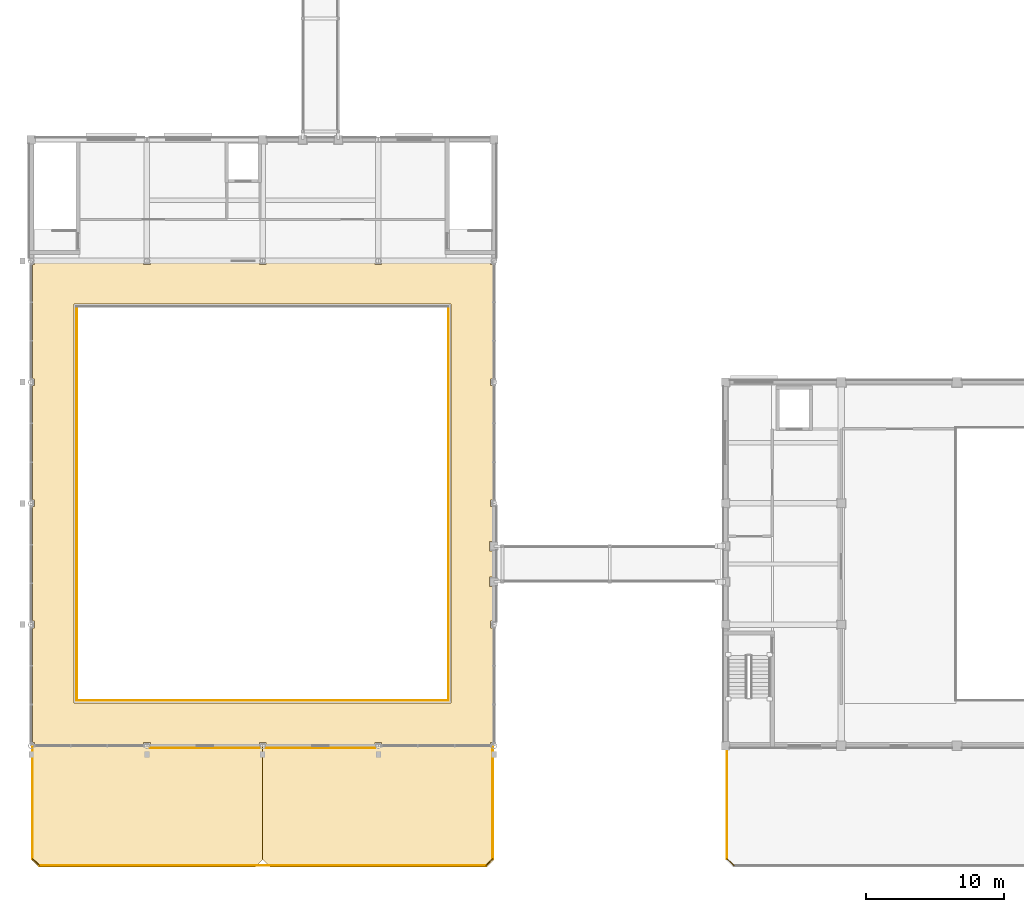
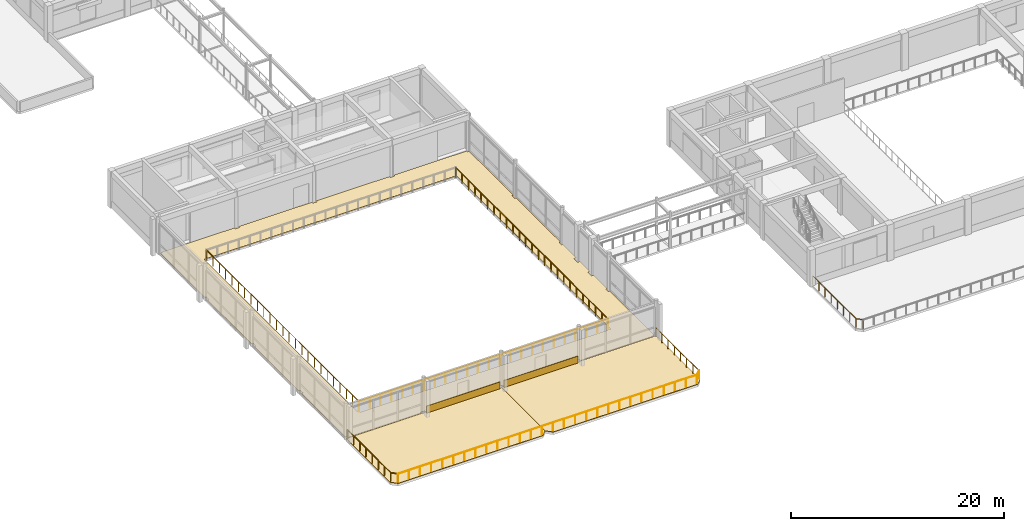
# One storey, part 44 of 57: 10 railings, 5 coverings.
"""IFC4 building model written with IfcOpenShell, lengths in metres."""

from ifc_helpers import new_model, si_unit, direction, frame, origin, origin_2d, place, context, subcontext, project, spatial, polyline, circle, outline, extrude, material, layer, layer_set, type_object, element, save


model = new_model("IFC4")

# Units and contexts
model_context = context("Model", 3, precision=1e-05, world=origin(), true_north=direction((0.0, 1.0)))
body_context = subcontext(model_context, "Body", "Model", "MODEL_VIEW")
ifc_project = project(units=[si_unit("LENGTHUNIT", "METRE"), si_unit("AREAUNIT", "SQUARE_METRE"), si_unit("VOLUMEUNIT", "CUBIC_METRE"), si_unit("PLANEANGLEUNIT", "RADIAN"), si_unit("MASSUNIT", "GRAM", prefix="KILO")], contexts=[model_context])

# Site, building, storey
site_placement = place(None, origin())
site = spatial("IfcSite", under=ifc_project, at=site_placement, CompositionType="ELEMENT")
building_placement = place(site_placement, origin())
building = spatial("IfcBuilding", under=site, at=building_placement, Name="Kemercrest Conservatory and Botanical Centre", CompositionType="ELEMENT")
storey_placement = place(building_placement, frame((0.0, 0.0, 4.800048828125)))
storey = spatial("IfcBuildingStorey", under=building, at=storey_placement, Name="L01", CompositionType="ELEMENT", Elevation=4.800048828125)

# Coverings
ifc_material_1 = material(Name="Honed limestone almasik ashlar rainscreen", Category="masonry")
ifc_layer_1 = layer(ifc_material_1, 0.0400390625)
ifc_layer_set_1 = layer_set([ifc_layer_1], Name="Honed limestone almasik ashlar rainscreen")
covering_type_1 = type_object("IfcCoveringType", Name="CV-CLD040", PredefinedType="CLADDING", material=ifc_layer_set_1)
covering_1_placement = place(storey_placement, origin())
element("IfcCovering", 1, at=covering_1_placement, inside=storey, type_object=covering_type_1, Name="Exterior stone spandrel cladding (WAL:L01:EXT-012)", PredefinedType="CLADDING", context=body_context, shape_type="SweptSolid", body=[
    extrude(outline(polyline([(16.61328125, 16.64990234375), (16.61328125, 16.610107421875), (24.5869140625, 16.610107421875), (24.5869140625, 16.64990234375), (16.61328125, 16.64990234375)])), origin(), (0.0, 0.0, 1.0), 0.849853515625),
])
covering_2_placement = place(storey_placement, origin())
element("IfcCovering", 2, at=covering_2_placement, inside=storey, type_object=covering_type_1, Name="Exterior stone spandrel cladding (WAL:L01:EXT-013)", PredefinedType="CLADDING", context=body_context, shape_type="SweptSolid", body=[
    extrude(outline(polyline([(25.01318359375, 16.64990234375), (25.01318359375, 16.610107421875), (32.98681640625, 16.610107421875), (32.98681640625, 16.64990234375), (25.01318359375, 16.64990234375)])), origin(), (0.0, 0.0, 1.0), 0.849853515625),
])
ifc_material_2 = material(Name="Polished limestone terrazzo and seamless laboratory epoxy flooring", Category="masonry")
ifc_layer_2 = layer(ifc_material_2, 0.02001953125)
ifc_layer_set_2 = layer_set([ifc_layer_2], Name="Polished limestone terrazzo and seamless laboratory epoxy flooring")
covering_type_2 = type_object("IfcCoveringType", Name="CV-FLR020", PredefinedType="FLOORING", material=ifc_layer_set_2)
covering_3_placement = place(storey_placement, origin())
element("IfcCovering", 3, at=covering_3_placement, inside=storey, type_object=covering_type_2, Name="Conservatory Canopy Walk terrazzo floor finish", PredefinedType="FLOORING", context=body_context, shape_type="SweptSolid", body=[
    extrude(outline(polyline([(8.2431640625, 25.84326171875), (8.2431640625, 25.356689453125), (8.080078125, 25.356689453125), (8.080078125, 17.043212890625), (8.2431640625, 17.043212890625), (8.2431640625, 16.8798828125), (16.15673828125, 16.8798828125), (16.15673828125, 17.043212890625), (16.643310546875, 17.043212890625), (16.643310546875, 16.8798828125), (24.556884765625, 16.8798828125), (24.556884765625, 17.043212890625), (25.043212890625, 17.043212890625), (25.043212890625, 16.8798828125), (32.956787109375, 16.8798828125), (32.956787109375, 17.043212890625), (33.443115234375, 17.043212890625), (33.443115234375, 16.8798828125), (41.356689453125, 16.8798828125), (41.356689453125, 17.043212890625), (41.52001953125, 17.043212890625), (41.52001953125, 25.356689453125), (41.356689453125, 25.356689453125), (41.356689453125, 25.84326171875), (41.52001953125, 25.84326171875), (41.52001953125, 28.360107421875), (41.260009765625, 28.360107421875), (41.260009765625, 29.0400390625), (41.52001953125, 29.0400390625), (41.52001953125, 30.9599609375), (41.260009765625, 30.9599609375), (41.260009765625, 31.639892578125), (41.52001953125, 31.639892578125), (41.52001953125, 34.15673828125), (41.356689453125, 34.15673828125), (41.356689453125, 34.643310546875), (41.52001953125, 34.643310546875), (41.52001953125, 42.956787109375), (41.356689453125, 42.956787109375), (41.356689453125, 43.443115234375), (41.52001953125, 43.443115234375), (41.52001953125, 51.7568359375), (41.356689453125, 51.7568359375), (41.356689453125, 51.919921875), (33.443115234375, 51.919921875), (33.443115234375, 51.7568359375), (32.956787109375, 51.7568359375), (32.956787109375, 51.919921875), (25.043212890625, 51.919921875), (25.043212890625, 51.7568359375), (24.556884765625, 51.7568359375), (24.556884765625, 51.919921875), (16.643310546875, 51.919921875), (16.643310546875, 51.7568359375), (16.15673828125, 51.7568359375), (16.15673828125, 51.919921875), (8.2431640625, 51.919921875), (8.2431640625, 51.7568359375), (8.080078125, 51.7568359375), (8.080078125, 43.443115234375), (8.2431640625, 43.443115234375), (8.2431640625, 42.956787109375), (8.080078125, 42.956787109375), (8.080078125, 34.643310546875), (8.2431640625, 34.643310546875), (8.2431640625, 34.15673828125), (8.080078125, 34.15673828125), (8.080078125, 25.84326171875), (8.2431640625, 25.84326171875)]), holes=[polyline([(11.1201171875, 48.8798828125), (38.47998046875, 48.8798828125), (38.47998046875, 19.919921875), (11.1201171875, 19.919921875), (11.1201171875, 48.8798828125)])]), origin(), (0.0, 0.0, 1.0), 0.02001953125),
])
ifc_material_3 = material(Name="SBS modified bitumen insulated roofing membrane", Category="roofing")
ifc_layer_3 = layer(ifc_material_3, 0.06005859375)
ifc_layer_set_3 = layer_set([ifc_layer_3], Name="SBS modified bitumen insulated roofing membrane")
covering_type_3 = type_object("IfcCoveringType", Name="CV-RFG060", PredefinedType="ROOFING", material=ifc_layer_set_3)
covering_4_placement = place(storey_placement, origin())
element("IfcCovering", 4, at=covering_4_placement, inside=storey, type_object=covering_type_3, Name="Insulated roof membrane covering (V1 Conservatory Harbour Colonnade Terrace 1)", PredefinedType="ROOFING", context=body_context, shape_type="SweptSolid", body=[
    extrude(outline(polyline([(8.550048828125, 8.0), (24.25, 8.0), (24.800048828125, 8.550048828125), (24.800048828125, 16.800048828125), (8.0, 16.800048828125), (8.0, 8.550048828125), (8.550048828125, 8.0)])), origin(), (0.0, 0.0, 1.0), 0.06005859375),
])
covering_5_placement = place(storey_placement, origin())
element("IfcCovering", 5, at=covering_5_placement, inside=storey, type_object=covering_type_3, Name="Insulated roof membrane covering (V1 Conservatory Harbour Colonnade Terrace 2)", PredefinedType="ROOFING", context=body_context, shape_type="SweptSolid", body=[
    extrude(outline(polyline([(25.35009765625, 8.0), (41.050048828125, 8.0), (41.60009765625, 8.550048828125), (41.60009765625, 16.800048828125), (24.800048828125, 16.800048828125), (24.800048828125, 8.550048828125), (25.35009765625, 8.0)])), origin(), (0.0, 0.0, 1.0), 0.06005859375),
])

# Railings
ifc_material_4 = material(Name="Architectural bronze-anodized steel balustrade", Category="steel")
railing_type_1 = type_object("IfcRailingType", Name="GR-TER110", PredefinedType="GUARDRAIL", material=ifc_material_4)
railing_1_placement = place(storey_placement, frame((8.10009765625, 16.699951171875, 0.0)))
element("IfcRailing", 6, at=railing_1_placement, inside=storey, type_object=railing_type_1, Name="Safety guardrail GR-TER110 (V1-COL-1)", PredefinedType="GUARDRAIL", context=body_context, shape_type="SweptSolid", body=[
    extrude(circle(Radius=0.02392578125, at=origin_2d()), frame((0.0, 0.0, 1.076171875), z_axis=(0.0, -1.0, 0.0), x_axis=(1.0, 0.0, 0.0)), (0.0, 0.0, 1.0), 8.099853515625),
    extrude(circle(Radius=0.02099609375, at=origin_2d()), origin(), (0.0, 0.0, 1.0), 1.052001953125),
    extrude(circle(Radius=0.02099609375, at=origin_2d()), frame((0.0, -1.1572265625, 0.0)), (0.0, 0.0, 1.0), 1.052001953125),
    extrude(circle(Radius=0.02099609375, at=origin_2d()), frame((0.0, -2.314208984375, 0.0)), (0.0, 0.0, 1.0), 1.052001953125),
    extrude(circle(Radius=0.02099609375, at=origin_2d()), frame((0.0, -3.471435546875, 0.0)), (0.0, 0.0, 1.0), 1.052001953125),
    extrude(circle(Radius=0.02099609375, at=origin_2d()), frame((0.0, -4.62841796875, 0.0)), (0.0, 0.0, 1.0), 1.052001953125),
    extrude(circle(Radius=0.02099609375, at=origin_2d()), frame((0.0, -5.78564453125, 0.0)), (0.0, 0.0, 1.0), 1.052001953125),
    extrude(circle(Radius=0.02099609375, at=origin_2d()), frame((0.0, -6.942626953125, 0.0)), (0.0, 0.0, 1.0), 1.052001953125),
    extrude(circle(Radius=0.02099609375, at=origin_2d()), frame((0.0, -8.099853515625, 0.0)), (0.0, 0.0, 1.0), 1.052001953125),
])
railing_2_placement = place(storey_placement, frame((8.10009765625, 8.60009765625, 0.0)))
element("IfcRailing", 7, at=railing_2_placement, inside=storey, type_object=railing_type_1, Name="Safety guardrail GR-TER110 (V1-COL-2)", PredefinedType="GUARDRAIL", context=body_context, shape_type="SweptSolid", body=[
    extrude(circle(Radius=0.02392578125, at=origin_2d()), frame((0.0, 0.0, 1.076171875), z_axis=(0.707106781187, -0.707106781187, 0.0), x_axis=(0.707106781187, 0.707106781187, 0.0)), (0.0, 0.0, 1.0), 0.70703125),
    extrude(circle(Radius=0.02099609375, at=origin_2d()), origin(), (0.0, 0.0, 1.0), 1.052001953125),
    extrude(circle(Radius=0.02099609375, at=origin_2d()), frame((0.5, -0.5, 0.0)), (0.0, 0.0, 1.0), 1.052001953125),
])
railing_3_placement = place(storey_placement, frame((8.60009765625, 8.10009765625, 0.0)))
element("IfcRailing", 8, at=railing_3_placement, inside=storey, type_object=railing_type_1, Name="Safety guardrail GR-TER110 (V1-COL-3)", PredefinedType="GUARDRAIL", context=body_context, shape_type="SweptSolid", body=[
    extrude(circle(Radius=0.02392578125, at=origin_2d()), frame((0.0, 0.0, 1.076171875), z_axis=(1.0, 0.0, 0.0), x_axis=(0.0, 1.0, 0.0)), (0.0, 0.0, 1.0), 32.39990234375),
    extrude(circle(Radius=0.02099609375, at=origin_2d()), origin(), (0.0, 0.0, 1.0), 1.052001953125),
    extrude(circle(Radius=0.02099609375, at=origin_2d()), frame((1.199951171875, 0.0, 0.0)), (0.0, 0.0, 1.0), 1.052001953125),
    extrude(circle(Radius=0.02099609375, at=origin_2d()), frame((2.39990234375, 0.0, 0.0)), (0.0, 0.0, 1.0), 1.052001953125),
    extrude(circle(Radius=0.02099609375, at=origin_2d()), frame((3.60009765625, 0.0, 0.0)), (0.0, 0.0, 1.0), 1.052001953125),
    extrude(circle(Radius=0.02099609375, at=origin_2d()), frame((4.800048828125, 0.0, 0.0)), (0.0, 0.0, 1.0), 1.052001953125),
    extrude(circle(Radius=0.02099609375, at=origin_2d()), frame((6.0, 0.0, 0.0)), (0.0, 0.0, 1.0), 1.052001953125),
    extrude(circle(Radius=0.02099609375, at=origin_2d()), frame((7.199951171875, 0.0, 0.0)), (0.0, 0.0, 1.0), 1.052001953125),
    extrude(circle(Radius=0.02099609375, at=origin_2d()), frame((8.39990234375, 0.0, 0.0)), (0.0, 0.0, 1.0), 1.052001953125),
    extrude(circle(Radius=0.02099609375, at=origin_2d()), frame((9.599853515625, 0.0, 0.0)), (0.0, 0.0, 1.0), 1.052001953125),
    extrude(circle(Radius=0.02099609375, at=origin_2d()), frame((10.800048828125, 0.0, 0.0)), (0.0, 0.0, 1.0), 1.052001953125),
    extrude(circle(Radius=0.02099609375, at=origin_2d()), frame((12.0, 0.0, 0.0)), (0.0, 0.0, 1.0), 1.052001953125),
    extrude(circle(Radius=0.02099609375, at=origin_2d()), frame((13.199951171875, 0.0, 0.0)), (0.0, 0.0, 1.0), 1.052001953125),
    extrude(circle(Radius=0.02099609375, at=origin_2d()), frame((14.39990234375, 0.0, 0.0)), (0.0, 0.0, 1.0), 1.052001953125),
    extrude(circle(Radius=0.02099609375, at=origin_2d()), frame((15.599853515625, 0.0, 0.0)), (0.0, 0.0, 1.0), 1.052001953125),
    extrude(circle(Radius=0.02099609375, at=origin_2d()), frame((16.800048828125, 0.0, 0.0)), (0.0, 0.0, 1.0), 1.052001953125),
    extrude(circle(Radius=0.02099609375, at=origin_2d()), frame((18.0, 0.0, 0.0)), (0.0, 0.0, 1.0), 1.052001953125),
    extrude(circle(Radius=0.02099609375, at=origin_2d()), frame((19.199951171875, 0.0, 0.0)), (0.0, 0.0, 1.0), 1.052001953125),
    extrude(circle(Radius=0.02099609375, at=origin_2d()), frame((20.39990234375, 0.0, 0.0)), (0.0, 0.0, 1.0), 1.052001953125),
    extrude(circle(Radius=0.02099609375, at=origin_2d()), frame((21.599853515625, 0.0, 0.0)), (0.0, 0.0, 1.0), 1.052001953125),
    extrude(circle(Radius=0.02099609375, at=origin_2d()), frame((22.800048828125, 0.0, 0.0)), (0.0, 0.0, 1.0), 1.052001953125),
    extrude(circle(Radius=0.02099609375, at=origin_2d()), frame((24.0, 0.0, 0.0)), (0.0, 0.0, 1.0), 1.052001953125),
    extrude(circle(Radius=0.02099609375, at=origin_2d()), frame((25.199951171875, 0.0, 0.0)), (0.0, 0.0, 1.0), 1.052001953125),
    extrude(circle(Radius=0.02099609375, at=origin_2d()), frame((26.39990234375, 0.0, 0.0)), (0.0, 0.0, 1.0), 1.052001953125),
    extrude(circle(Radius=0.02099609375, at=origin_2d()), frame((27.599853515625, 0.0, 0.0)), (0.0, 0.0, 1.0), 1.052001953125),
    extrude(circle(Radius=0.02099609375, at=origin_2d()), frame((28.7998046875, 0.0, 0.0)), (0.0, 0.0, 1.0), 1.052001953125),
    extrude(circle(Radius=0.02099609375, at=origin_2d()), frame((30.0, 0.0, 0.0)), (0.0, 0.0, 1.0), 1.052001953125),
    extrude(circle(Radius=0.02099609375, at=origin_2d()), frame((31.199951171875, 0.0, 0.0)), (0.0, 0.0, 1.0), 1.052001953125),
    extrude(circle(Radius=0.02099609375, at=origin_2d()), frame((32.39990234375, 0.0, 0.0)), (0.0, 0.0, 1.0), 1.052001953125),
])
railing_4_placement = place(storey_placement, frame((41.0, 8.10009765625, 0.0)))
element("IfcRailing", 9, at=railing_4_placement, inside=storey, type_object=railing_type_1, Name="Safety guardrail GR-TER110 (V1-COL-4)", PredefinedType="GUARDRAIL", context=body_context, shape_type="SweptSolid", body=[
    extrude(circle(Radius=0.02392578125, at=origin_2d()), frame((0.0, 0.0, 1.076171875), z_axis=(0.707106781187, 0.707106781187, 0.0), x_axis=(-0.707106781187, 0.707106781187, 0.0)), (0.0, 0.0, 1.0), 0.70703125),
    extrude(circle(Radius=0.02099609375, at=origin_2d()), origin(), (0.0, 0.0, 1.0), 1.052001953125),
    extrude(circle(Radius=0.02099609375, at=origin_2d()), frame((0.5, 0.5, 0.0)), (0.0, 0.0, 1.0), 1.052001953125),
])
railing_5_placement = place(storey_placement, frame((41.5, 8.60009765625, 0.0)))
element("IfcRailing", 10, at=railing_5_placement, inside=storey, type_object=railing_type_1, Name="Safety guardrail GR-TER110 (V1-COL-5)", PredefinedType="GUARDRAIL", context=body_context, shape_type="SweptSolid", body=[
    extrude(circle(Radius=0.02392578125, at=origin_2d()), frame((0.0, 0.0, 1.076171875), z_axis=(0.0, 1.0, 0.0), x_axis=(-1.0, 0.0, 0.0)), (0.0, 0.0, 1.0), 8.099853515625),
    extrude(circle(Radius=0.02099609375, at=origin_2d()), origin(), (0.0, 0.0, 1.0), 1.052001953125),
    extrude(circle(Radius=0.02099609375, at=origin_2d()), frame((0.0, 1.1572265625, 0.0)), (0.0, 0.0, 1.0), 1.052001953125),
    extrude(circle(Radius=0.02099609375, at=origin_2d()), frame((0.0, 2.314208984375, 0.0)), (0.0, 0.0, 1.0), 1.052001953125),
    extrude(circle(Radius=0.02099609375, at=origin_2d()), frame((0.0, 3.471435546875, 0.0)), (0.0, 0.0, 1.0), 1.052001953125),
    extrude(circle(Radius=0.02099609375, at=origin_2d()), frame((0.0, 4.62841796875, 0.0)), (0.0, 0.0, 1.0), 1.052001953125),
    extrude(circle(Radius=0.02099609375, at=origin_2d()), frame((0.0, 5.78564453125, 0.0)), (0.0, 0.0, 1.0), 1.052001953125),
    extrude(circle(Radius=0.02099609375, at=origin_2d()), frame((0.0, 6.942626953125, 0.0)), (0.0, 0.0, 1.0), 1.052001953125),
    extrude(circle(Radius=0.02099609375, at=origin_2d()), frame((0.0, 8.099853515625, 0.0)), (0.0, 0.0, 1.0), 1.052001953125),
])
railing_6_placement = place(storey_placement, frame((58.5, 16.699951171875, 0.0)))
element("IfcRailing", 11, at=railing_6_placement, inside=storey, type_object=railing_type_1, Name="Safety guardrail GR-TER110 (V2-COL-1)", PredefinedType="GUARDRAIL", context=body_context, shape_type="SweptSolid", body=[
    extrude(circle(Radius=0.02392578125, at=origin_2d()), frame((0.0, 0.0, 1.076171875), z_axis=(0.0, -1.0, 0.0), x_axis=(1.0, 0.0, 0.0)), (0.0, 0.0, 1.0), 8.099853515625),
    extrude(circle(Radius=0.02099609375, at=origin_2d()), origin(), (0.0, 0.0, 1.0), 1.052001953125),
    extrude(circle(Radius=0.02099609375, at=origin_2d()), frame((0.0, -1.1572265625, 0.0)), (0.0, 0.0, 1.0), 1.052001953125),
    extrude(circle(Radius=0.02099609375, at=origin_2d()), frame((0.0, -2.314208984375, 0.0)), (0.0, 0.0, 1.0), 1.052001953125),
    extrude(circle(Radius=0.02099609375, at=origin_2d()), frame((0.0, -3.471435546875, 0.0)), (0.0, 0.0, 1.0), 1.052001953125),
    extrude(circle(Radius=0.02099609375, at=origin_2d()), frame((0.0, -4.62841796875, 0.0)), (0.0, 0.0, 1.0), 1.052001953125),
    extrude(circle(Radius=0.02099609375, at=origin_2d()), frame((0.0, -5.78564453125, 0.0)), (0.0, 0.0, 1.0), 1.052001953125),
    extrude(circle(Radius=0.02099609375, at=origin_2d()), frame((0.0, -6.942626953125, 0.0)), (0.0, 0.0, 1.0), 1.052001953125),
    extrude(circle(Radius=0.02099609375, at=origin_2d()), frame((0.0, -8.099853515625, 0.0)), (0.0, 0.0, 1.0), 1.052001953125),
])
railing_7_placement = place(storey_placement, frame((58.5, 8.60009765625, 0.0)))
element("IfcRailing", 12, at=railing_7_placement, inside=storey, type_object=railing_type_1, Name="Safety guardrail GR-TER110 (V2-COL-2)", PredefinedType="GUARDRAIL", context=body_context, shape_type="SweptSolid", body=[
    extrude(circle(Radius=0.02392578125, at=origin_2d()), frame((0.0, 0.0, 1.076171875), z_axis=(0.707106781187, -0.707106781187, 0.0), x_axis=(0.707106781187, 0.707106781187, 0.0)), (0.0, 0.0, 1.0), 0.70703125),
    extrude(circle(Radius=0.02099609375, at=origin_2d()), origin(), (0.0, 0.0, 1.0), 1.052001953125),
    extrude(circle(Radius=0.02099609375, at=origin_2d()), frame((0.5, -0.5, 0.0)), (0.0, 0.0, 1.0), 1.052001953125),
])
railing_type_2 = type_object("IfcRailingType", Name="GR-VOI115", PredefinedType="GUARDRAIL", material=ifc_material_4)
railing_8_placement = place(storey_placement, frame((11.300048828125, 20.10009765625, 0.0)))
element("IfcRailing", 13, at=railing_8_placement, inside=storey, type_object=railing_type_2, Name="Safety guardrail GR-VOI115 (V1-CANOPY-1)", PredefinedType="GUARDRAIL", context=body_context, shape_type="SweptSolid", body=[
    extrude(circle(Radius=0.02392578125, at=origin_2d()), frame((0.0, 0.0, 1.1259765625), z_axis=(1.0, 0.0, 0.0), x_axis=(0.0, 1.0, 0.0)), (0.0, 0.0, 1.0), 27.0),
    extrude(circle(Radius=0.02099609375, at=origin_2d()), origin(), (0.0, 0.0, 1.0), 1.101806640625),
    extrude(circle(Radius=0.02099609375, at=origin_2d()), frame((1.173828125, 0.0, 0.0)), (0.0, 0.0, 1.0), 1.101806640625),
    extrude(circle(Radius=0.02099609375, at=origin_2d()), frame((2.347900390625, 0.0, 0.0)), (0.0, 0.0, 1.0), 1.101806640625),
    extrude(circle(Radius=0.02099609375, at=origin_2d()), frame((3.521728515625, 0.0, 0.0)), (0.0, 0.0, 1.0), 1.101806640625),
    extrude(circle(Radius=0.02099609375, at=origin_2d()), frame((4.695556640625, 0.0, 0.0)), (0.0, 0.0, 1.0), 1.101806640625),
    extrude(circle(Radius=0.02099609375, at=origin_2d()), frame((5.86962890625, 0.0, 0.0)), (0.0, 0.0, 1.0), 1.101806640625),
    extrude(circle(Radius=0.02099609375, at=origin_2d()), frame((7.04345703125, 0.0, 0.0)), (0.0, 0.0, 1.0), 1.101806640625),
    extrude(circle(Radius=0.02099609375, at=origin_2d()), frame((8.21728515625, 0.0, 0.0)), (0.0, 0.0, 1.0), 1.101806640625),
    extrude(circle(Radius=0.02099609375, at=origin_2d()), frame((9.391357421875, 0.0, 0.0)), (0.0, 0.0, 1.0), 1.101806640625),
    extrude(circle(Radius=0.02099609375, at=origin_2d()), frame((10.565185546875, 0.0, 0.0)), (0.0, 0.0, 1.0), 1.101806640625),
    extrude(circle(Radius=0.02099609375, at=origin_2d()), frame((11.739013671875, 0.0, 0.0)), (0.0, 0.0, 1.0), 1.101806640625),
    extrude(circle(Radius=0.02099609375, at=origin_2d()), frame((12.9130859375, 0.0, 0.0)), (0.0, 0.0, 1.0), 1.101806640625),
    extrude(circle(Radius=0.02099609375, at=origin_2d()), frame((14.0869140625, 0.0, 0.0)), (0.0, 0.0, 1.0), 1.101806640625),
    extrude(circle(Radius=0.02099609375, at=origin_2d()), frame((15.260986328125, 0.0, 0.0)), (0.0, 0.0, 1.0), 1.101806640625),
    extrude(circle(Radius=0.02099609375, at=origin_2d()), frame((16.434814453125, 0.0, 0.0)), (0.0, 0.0, 1.0), 1.101806640625),
    extrude(circle(Radius=0.02099609375, at=origin_2d()), frame((17.608642578125, 0.0, 0.0)), (0.0, 0.0, 1.0), 1.101806640625),
    extrude(circle(Radius=0.02099609375, at=origin_2d()), frame((18.78271484375, 0.0, 0.0)), (0.0, 0.0, 1.0), 1.101806640625),
    extrude(circle(Radius=0.02099609375, at=origin_2d()), frame((19.95654296875, 0.0, 0.0)), (0.0, 0.0, 1.0), 1.101806640625),
    extrude(circle(Radius=0.02099609375, at=origin_2d()), frame((21.13037109375, 0.0, 0.0)), (0.0, 0.0, 1.0), 1.101806640625),
    extrude(circle(Radius=0.02099609375, at=origin_2d()), frame((22.304443359375, 0.0, 0.0)), (0.0, 0.0, 1.0), 1.101806640625),
    extrude(circle(Radius=0.02099609375, at=origin_2d()), frame((23.478271484375, 0.0, 0.0)), (0.0, 0.0, 1.0), 1.101806640625),
    extrude(circle(Radius=0.02099609375, at=origin_2d()), frame((24.652099609375, 0.0, 0.0)), (0.0, 0.0, 1.0), 1.101806640625),
    extrude(circle(Radius=0.02099609375, at=origin_2d()), frame((25.826171875, 0.0, 0.0)), (0.0, 0.0, 1.0), 1.101806640625),
    extrude(circle(Radius=0.02099609375, at=origin_2d()), frame((27.0, 0.0, 0.0)), (0.0, 0.0, 1.0), 1.101806640625),
])
railing_9_placement = place(storey_placement, frame((38.300048828125, 20.10009765625, 0.0)))
element("IfcRailing", 14, at=railing_9_placement, inside=storey, type_object=railing_type_2, Name="Safety guardrail GR-VOI115 (V1-CANOPY-2)", PredefinedType="GUARDRAIL", context=body_context, shape_type="SweptSolid", body=[
    extrude(circle(Radius=0.02392578125, at=origin_2d()), frame((0.0, 0.0, 1.1259765625), z_axis=(0.0, 1.0, 0.0), x_axis=(-1.0, 0.0, 0.0)), (0.0, 0.0, 1.0), 28.599853515625),
    extrude(circle(Radius=0.02099609375, at=origin_2d()), origin(), (0.0, 0.0, 1.0), 1.101806640625),
    extrude(circle(Radius=0.02099609375, at=origin_2d()), frame((0.0, 1.191650390625, 0.0)), (0.0, 0.0, 1.0), 1.101806640625),
    extrude(circle(Radius=0.02099609375, at=origin_2d()), frame((0.0, 2.38330078125, 0.0)), (0.0, 0.0, 1.0), 1.101806640625),
    extrude(circle(Radius=0.02099609375, at=origin_2d()), frame((0.0, 3.574951171875, 0.0)), (0.0, 0.0, 1.0), 1.101806640625),
    extrude(circle(Radius=0.02099609375, at=origin_2d()), frame((0.0, 4.7666015625, 0.0)), (0.0, 0.0, 1.0), 1.101806640625),
    extrude(circle(Radius=0.02099609375, at=origin_2d()), frame((0.0, 5.958251953125, 0.0)), (0.0, 0.0, 1.0), 1.101806640625),
    extrude(circle(Radius=0.02099609375, at=origin_2d()), frame((0.0, 7.14990234375, 0.0)), (0.0, 0.0, 1.0), 1.101806640625),
    extrude(circle(Radius=0.02099609375, at=origin_2d()), frame((0.0, 8.341552734375, 0.0)), (0.0, 0.0, 1.0), 1.101806640625),
    extrude(circle(Radius=0.02099609375, at=origin_2d()), frame((0.0, 9.533203125, 0.0)), (0.0, 0.0, 1.0), 1.101806640625),
    extrude(circle(Radius=0.02099609375, at=origin_2d()), frame((0.0, 10.724853515625, 0.0)), (0.0, 0.0, 1.0), 1.101806640625),
    extrude(circle(Radius=0.02099609375, at=origin_2d()), frame((0.0, 11.91650390625, 0.0)), (0.0, 0.0, 1.0), 1.101806640625),
    extrude(circle(Radius=0.02099609375, at=origin_2d()), frame((0.0, 13.108154296875, 0.0)), (0.0, 0.0, 1.0), 1.101806640625),
    extrude(circle(Radius=0.02099609375, at=origin_2d()), frame((0.0, 14.2998046875, 0.0)), (0.0, 0.0, 1.0), 1.101806640625),
    extrude(circle(Radius=0.02099609375, at=origin_2d()), frame((0.0, 15.49169921875, 0.0)), (0.0, 0.0, 1.0), 1.101806640625),
    extrude(circle(Radius=0.02099609375, at=origin_2d()), frame((0.0, 16.683349609375, 0.0)), (0.0, 0.0, 1.0), 1.101806640625),
    extrude(circle(Radius=0.02099609375, at=origin_2d()), frame((0.0, 17.875, 0.0)), (0.0, 0.0, 1.0), 1.101806640625),
    extrude(circle(Radius=0.02099609375, at=origin_2d()), frame((0.0, 19.066650390625, 0.0)), (0.0, 0.0, 1.0), 1.101806640625),
    extrude(circle(Radius=0.02099609375, at=origin_2d()), frame((0.0, 20.25830078125, 0.0)), (0.0, 0.0, 1.0), 1.101806640625),
    extrude(circle(Radius=0.02099609375, at=origin_2d()), frame((0.0, 21.449951171875, 0.0)), (0.0, 0.0, 1.0), 1.101806640625),
    extrude(circle(Radius=0.02099609375, at=origin_2d()), frame((0.0, 22.6416015625, 0.0)), (0.0, 0.0, 1.0), 1.101806640625),
    extrude(circle(Radius=0.02099609375, at=origin_2d()), frame((0.0, 23.833251953125, 0.0)), (0.0, 0.0, 1.0), 1.101806640625),
    extrude(circle(Radius=0.02099609375, at=origin_2d()), frame((0.0, 25.02490234375, 0.0)), (0.0, 0.0, 1.0), 1.101806640625),
    extrude(circle(Radius=0.02099609375, at=origin_2d()), frame((0.0, 26.216552734375, 0.0)), (0.0, 0.0, 1.0), 1.101806640625),
    extrude(circle(Radius=0.02099609375, at=origin_2d()), frame((0.0, 27.408203125, 0.0)), (0.0, 0.0, 1.0), 1.101806640625),
    extrude(circle(Radius=0.02099609375, at=origin_2d()), frame((0.0, 28.599853515625, 0.0)), (0.0, 0.0, 1.0), 1.101806640625),
])
railing_10_placement = place(storey_placement, frame((11.300048828125, 48.699951171875, 0.0)))
element("IfcRailing", 15, at=railing_10_placement, inside=storey, type_object=railing_type_2, Name="Safety guardrail GR-VOI115 (V1-CANOPY-4)", PredefinedType="GUARDRAIL", context=body_context, shape_type="SweptSolid", body=[
    extrude(circle(Radius=0.02392578125, at=origin_2d()), frame((0.0, 0.0, 1.1259765625), z_axis=(0.0, -1.0, 0.0), x_axis=(1.0, 0.0, 0.0)), (0.0, 0.0, 1.0), 28.599853515625),
    extrude(circle(Radius=0.02099609375, at=origin_2d()), origin(), (0.0, 0.0, 1.0), 1.101806640625),
    extrude(circle(Radius=0.02099609375, at=origin_2d()), frame((0.0, -1.191650390625, 0.0)), (0.0, 0.0, 1.0), 1.101806640625),
    extrude(circle(Radius=0.02099609375, at=origin_2d()), frame((0.0, -2.38330078125, 0.0)), (0.0, 0.0, 1.0), 1.101806640625),
    extrude(circle(Radius=0.02099609375, at=origin_2d()), frame((0.0, -3.574951171875, 0.0)), (0.0, 0.0, 1.0), 1.101806640625),
    extrude(circle(Radius=0.02099609375, at=origin_2d()), frame((0.0, -4.7666015625, 0.0)), (0.0, 0.0, 1.0), 1.101806640625),
    extrude(circle(Radius=0.02099609375, at=origin_2d()), frame((0.0, -5.958251953125, 0.0)), (0.0, 0.0, 1.0), 1.101806640625),
    extrude(circle(Radius=0.02099609375, at=origin_2d()), frame((0.0, -7.14990234375, 0.0)), (0.0, 0.0, 1.0), 1.101806640625),
    extrude(circle(Radius=0.02099609375, at=origin_2d()), frame((0.0, -8.341552734375, 0.0)), (0.0, 0.0, 1.0), 1.101806640625),
    extrude(circle(Radius=0.02099609375, at=origin_2d()), frame((0.0, -9.533203125, 0.0)), (0.0, 0.0, 1.0), 1.101806640625),
    extrude(circle(Radius=0.02099609375, at=origin_2d()), frame((0.0, -10.724853515625, 0.0)), (0.0, 0.0, 1.0), 1.101806640625),
    extrude(circle(Radius=0.02099609375, at=origin_2d()), frame((0.0, -11.91650390625, 0.0)), (0.0, 0.0, 1.0), 1.101806640625),
    extrude(circle(Radius=0.02099609375, at=origin_2d()), frame((0.0, -13.108154296875, 0.0)), (0.0, 0.0, 1.0), 1.101806640625),
    extrude(circle(Radius=0.02099609375, at=origin_2d()), frame((0.0, -14.2998046875, 0.0)), (0.0, 0.0, 1.0), 1.101806640625),
    extrude(circle(Radius=0.02099609375, at=origin_2d()), frame((0.0, -15.49169921875, 0.0)), (0.0, 0.0, 1.0), 1.101806640625),
    extrude(circle(Radius=0.02099609375, at=origin_2d()), frame((0.0, -16.683349609375, 0.0)), (0.0, 0.0, 1.0), 1.101806640625),
    extrude(circle(Radius=0.02099609375, at=origin_2d()), frame((0.0, -17.875, 0.0)), (0.0, 0.0, 1.0), 1.101806640625),
    extrude(circle(Radius=0.02099609375, at=origin_2d()), frame((0.0, -19.066650390625, 0.0)), (0.0, 0.0, 1.0), 1.101806640625),
    extrude(circle(Radius=0.02099609375, at=origin_2d()), frame((0.0, -20.25830078125, 0.0)), (0.0, 0.0, 1.0), 1.101806640625),
    extrude(circle(Radius=0.02099609375, at=origin_2d()), frame((0.0, -21.449951171875, 0.0)), (0.0, 0.0, 1.0), 1.101806640625),
    extrude(circle(Radius=0.02099609375, at=origin_2d()), frame((0.0, -22.6416015625, 0.0)), (0.0, 0.0, 1.0), 1.101806640625),
    extrude(circle(Radius=0.02099609375, at=origin_2d()), frame((0.0, -23.833251953125, 0.0)), (0.0, 0.0, 1.0), 1.101806640625),
    extrude(circle(Radius=0.02099609375, at=origin_2d()), frame((0.0, -25.02490234375, 0.0)), (0.0, 0.0, 1.0), 1.101806640625),
    extrude(circle(Radius=0.02099609375, at=origin_2d()), frame((0.0, -26.216552734375, 0.0)), (0.0, 0.0, 1.0), 1.101806640625),
    extrude(circle(Radius=0.02099609375, at=origin_2d()), frame((0.0, -27.408203125, 0.0)), (0.0, 0.0, 1.0), 1.101806640625),
    extrude(circle(Radius=0.02099609375, at=origin_2d()), frame((0.0, -28.599853515625, 0.0)), (0.0, 0.0, 1.0), 1.101806640625),
])

save(model, "model.ifc")
